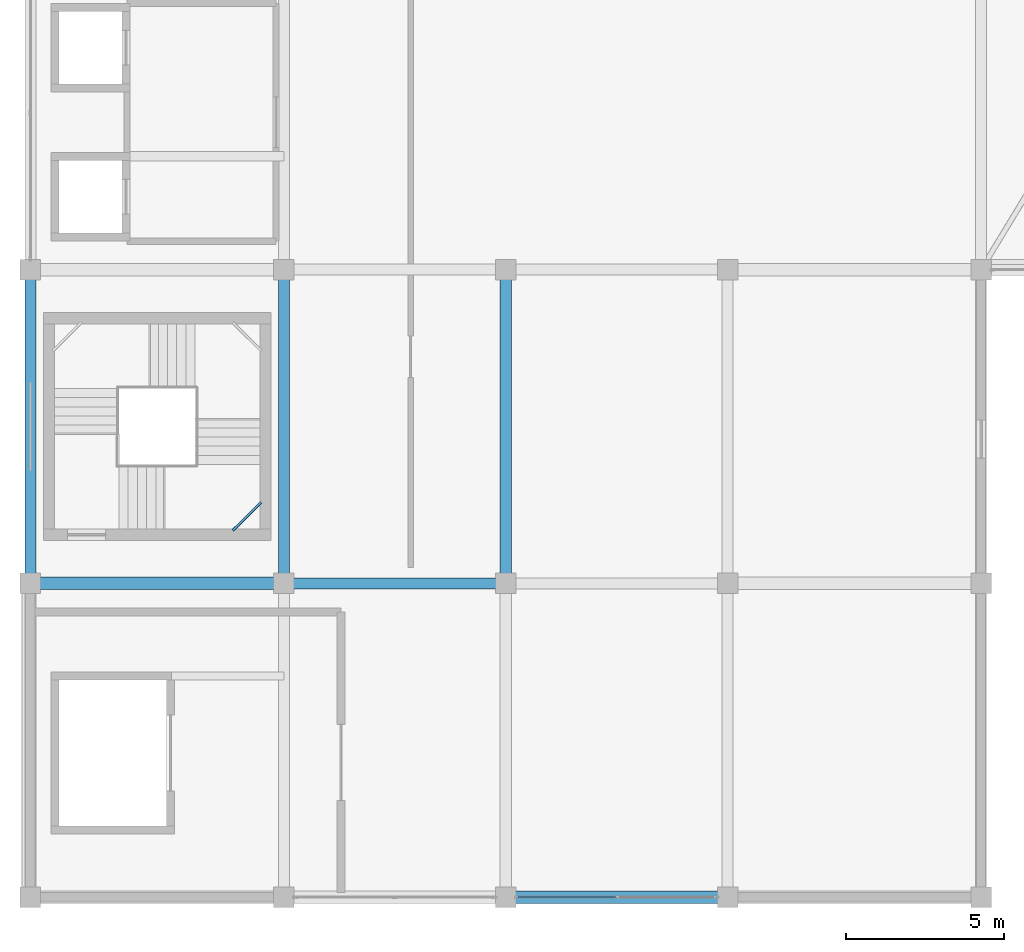
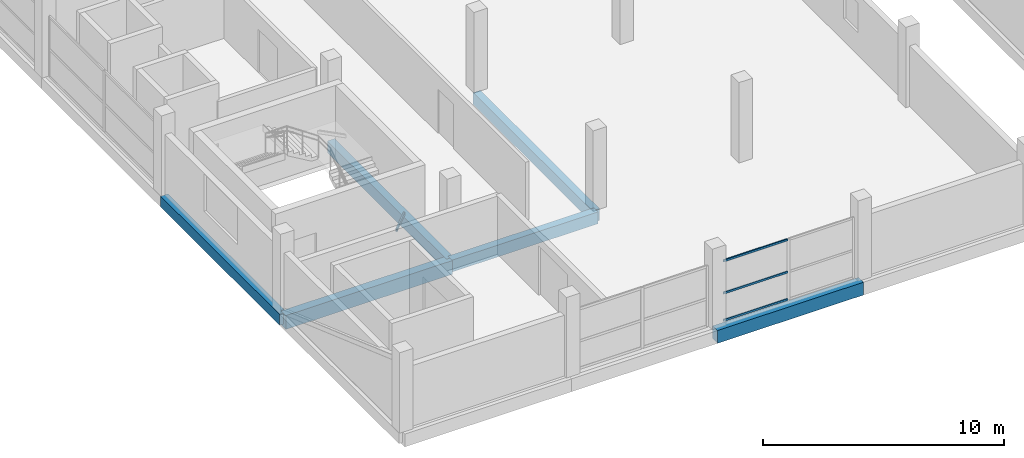
# One storey, part 3 of 70: 7 beams, 3 members, 1 element without a shape of its own.
"""IFC4 building model written with IfcOpenShell, lengths in metres."""

from ifc_helpers import new_model, si_unit, direction, frame, origin, origin_2d, place, context, subcontext, project, spatial, rectangle, hollow_rectangle, extrude, material, layer, layer_set, material_profile, profile_set, type_object, element, aggregate, save


model = new_model("IFC4")

# Units and contexts
model_context = context("Model", 3, precision=1e-05, world=origin(), true_north=direction((0.0, 1.0)))
body_context = subcontext(model_context, "Body", "Model", "MODEL_VIEW")
ifc_project = project(units=[si_unit("LENGTHUNIT", "METRE"), si_unit("AREAUNIT", "SQUARE_METRE"), si_unit("VOLUMEUNIT", "CUBIC_METRE"), si_unit("PLANEANGLEUNIT", "RADIAN"), si_unit("MASSUNIT", "GRAM", prefix="KILO")], contexts=[model_context])

# Site, building, storey
site_placement = place(None, origin())
site = spatial("IfcSite", under=ifc_project, at=site_placement, CompositionType="ELEMENT")
building_placement = place(site_placement, origin())
building = spatial("IfcBuilding", under=site, at=building_placement, Name="Sillaruma Civic Art Gallery", CompositionType="ELEMENT")
storey_placement = place(building_placement, frame((0.0, 0.0, 66.300048828125)))
storey = spatial("IfcBuildingStorey", under=building, at=storey_placement, Name="L13", CompositionType="ELEMENT", Elevation=66.300048828125)

# Beams
ifc_material_1 = material(Name="Concrete H35 (35 MPa)", Category="concrete")
ifc_material_profile_1 = material_profile(ifc_material_1, rectangle(XDim=0.35009765625, YDim=0.60009765625, at=origin_2d()), Name="RCB350x600")
ifc_profile_set_1 = profile_set([ifc_material_profile_1], Name="Concrete H35 (35 MPa)")
beam_type_1 = type_object("IfcBeamType", Name="BM-BEAM-RCB350x600", PredefinedType="BEAM", material=ifc_profile_set_1)
beam_1_placement = place(storey_placement, frame((70.0, 29.699951171875, -0.530029296875), z_axis=(1.0, 0.0, 0.0), x_axis=(0.0, 1.0, 0.0)))
element("IfcBeam", 1, at=beam_1_placement, inside=storey, type_object=beam_type_1, Name="Beam BM-06 (L12:4:G-H)", PredefinedType="BEAM", context=body_context, shape_type="SweptSolid", body=[
    extrude(rectangle(XDim=0.35009765625, YDim=0.60009765625, at=origin_2d()), origin(), (0.0, 0.0, 1.0), 7.0),
])
for number, where, z_axis, x_axis, name in (
    (2, (70.0, 29.699951171875, -0.530029296875), (0.0, 1.0, 0.0), (-1.0, 0.0, 0.0), "Beam BM-06 (L12:G:4-5)"),
    (3, (77.0, 29.699951171875, -0.530029296875), (0.0, 1.0, 0.0), (-1.0, 0.0, 0.0), "Beam BM-06 (L12:H:4-5)"),
):
    element("IfcBeam", number, at=place(storey_placement, frame(where, z_axis=z_axis, x_axis=x_axis)), inside=storey, type_object=beam_type_1, Name=name, PredefinedType="BEAM", context=body_context, shape_type="SweptSolid", body=[
        extrude(rectangle(XDim=0.35009765625, YDim=0.60009765625, at=origin_2d()), origin(), (0.0, 0.0, 1.0), 9.900146484375),
    ])
ifc_material_profile_2 = material_profile(ifc_material_1, rectangle(XDim=0.39990234375, YDim=0.699951171875, at=origin_2d()), Name="RCB400x700")
ifc_profile_set_2 = profile_set([ifc_material_profile_2], Name="Concrete H35 (35 MPa)")
beam_type_2 = type_object("IfcBeamType", Name="BM-BEAM-RCB400x700", PredefinedType="BEAM", material=ifc_profile_set_2)
beam_2_placement = place(storey_placement, frame((62.0, 29.699951171875, -0.580078125), z_axis=(1.0, 0.0, 0.0), x_axis=(0.0, 1.0, 0.0)))
element("IfcBeam", 4, at=beam_2_placement, inside=storey, type_object=beam_type_2, Name="Beam BM-04 (L12:4:F-G)", PredefinedType="BEAM", context=body_context, shape_type="SweptSolid", body=[
    extrude(rectangle(XDim=0.39990234375, YDim=0.699951171875, at=origin_2d()), origin(), (0.0, 0.0, 1.0), 8.0),
])
ifc_material_2 = material(Name="Structural Steel ASTM A500 Gr.C", Category="steel")
ifc_material_profile_3 = material_profile(ifc_material_2, hollow_rectangle(XDim=0.080078125, YDim=0.159912109375, WallThickness=0.008056640625, InnerFilletRadius=0.008056640625, OuterFilletRadius=0.01611328125, at=origin_2d()), Name="HSS160x80x8")
ifc_profile_set_3 = profile_set([ifc_material_profile_3], Name="Structural Steel ASTM A500 Gr.C")
beam_type_3 = type_object("IfcBeamType", Name="BM-LND-HSS160", PredefinedType="BEAM", material=ifc_profile_set_3)
beam_3_placement = place(storey_placement, frame((68.389892578125, 31.3701171875, 0.739990234375), z_axis=(0.707203758046, 0.707009791025, 0.0), x_axis=(-0.707009791025, 0.707203758046, 0.0)))
element("IfcBeam", 5, at=beam_3_placement, inside=storey, type_object=beam_type_3, Name="Stair Corner Landing Trimmer Beam (ST-03-L13-1)", PredefinedType="BEAM", context=body_context, shape_type="SweptSolid", body=[
    extrude(hollow_rectangle(XDim=0.080078125, YDim=0.159912109375, WallThickness=0.008056640625, InnerFilletRadius=0.008056640625, OuterFilletRadius=0.01611328125, at=origin_2d()), origin(), (0.0, 0.0, 1.0), 1.2587890625),
])
ifc_material_profile_4 = material_profile(ifc_material_1, rectangle(XDim=0.35009765625, YDim=0.550048828125, at=origin_2d()), Name="RCB350x550")
ifc_profile_set_4 = profile_set([ifc_material_profile_4], Name="Concrete H35 (35 MPa)")
beam_type_4 = type_object("IfcBeamType", Name="BM-SPANDREL-RCB350x550", PredefinedType="SPANDREL", material=ifc_profile_set_4)
beam_4_placement = place(storey_placement, frame((62.0, 29.699951171875, -0.505126953125), z_axis=(0.0, 1.0, 0.0), x_axis=(-1.0, 0.0, 0.0)))
element("IfcBeam", 6, at=beam_4_placement, inside=storey, type_object=beam_type_4, Name="Beam BS-04 (L12:F:4-5)", PredefinedType="SPANDREL", context=body_context, shape_type="SweptSolid", body=[
    extrude(rectangle(XDim=0.35009765625, YDim=0.550048828125, at=origin_2d()), origin(), (0.0, 0.0, 1.0), 9.900146484375),
])
ifc_material_profile_5 = material_profile(ifc_material_1, rectangle(XDim=0.39990234375, YDim=0.64990234375, at=origin_2d()), Name="RCB400x650")
ifc_profile_set_5 = profile_set([ifc_material_profile_5], Name="Concrete H35 (35 MPa)")
beam_type_5 = type_object("IfcBeamType", Name="BM-SPANDREL-RCB400x650", PredefinedType="SPANDREL", material=ifc_profile_set_5)
beam_5_placement = place(storey_placement, frame((77.0, 19.800048828125, -0.554931640625), z_axis=(1.0, 0.0, 0.0), x_axis=(0.0, 1.0, 0.0)))
element("IfcBeam", 7, at=beam_5_placement, inside=storey, type_object=beam_type_5, Name="Beam BS-02 (L12:3:H-J)", PredefinedType="SPANDREL", context=body_context, shape_type="SweptSolid", body=[
    extrude(rectangle(XDim=0.39990234375, YDim=0.64990234375, at=origin_2d()), origin(), (0.0, 0.0, 1.0), 7.0),
])

# Curtain wall, members
ifc_material_3 = material(Name="Thermally Broken Extruded Aluminium 6063-T6", Category="aluminium")
ifc_layer = layer(ifc_material_3, 0.139892578125, Name="Thermally Broken Extruded Aluminium 6063-T6")
ifc_layer_set = layer_set([ifc_layer], Name="Thermally Broken Extruded Aluminium 6063-T6")
curtain_wall_type = type_object("IfcCurtainWallType", Name="CW-UNI-106", PredefinedType="NOTDEFINED", material=ifc_layer_set)
curtain_wall_placement = place(storey_placement, origin())
curtain_wall = element("IfcCurtainWall", 8, at=curtain_wall_placement, inside=storey, type_object=curtain_wall_type, Name="Unitised Curtain Wall CW-106 (CW-L13-WBS-3)", PredefinedType="NOTDEFINED")
ifc_material_profile_6 = material_profile(ifc_material_3, hollow_rectangle(XDim=0.06005859375, YDim=0.10009765625, WallThickness=0.003173828125, at=origin_2d()), Name="CWT60x100")
ifc_profile_set_6 = profile_set([ifc_material_profile_6], Name="Thermally Broken Extruded Aluminium 6063-T6")
member_type = type_object("IfcMemberType", Name="MEM-TRN-CWT60x100", PredefinedType="USERDEFINED", material=ifc_profile_set_6)
member_1_placement = place(storey_placement, frame((77.385009765625, 19.800048828125, 0.030029296875), z_axis=(1.0, 0.0, 0.0), x_axis=(0.0, 1.0, 0.0)))
member_1 = element("IfcMember", 9, at=member_1_placement, type_object=member_type, Name="CW-106 transom 1.1", ObjectType="TRANSOM", PredefinedType="USERDEFINED", context=body_context, shape_type="SweptSolid", body=[
    extrude(hollow_rectangle(XDim=0.06005859375, YDim=0.10009765625, WallThickness=0.003173828125, at=origin_2d()), origin(), (0.0, 0.0, 1.0), 3.0849609375),
])
member_2_placement = place(storey_placement, frame((77.385009765625, 19.800048828125, 1.416748046875), z_axis=(1.0, 0.0, 0.0), x_axis=(0.0, 1.0, 0.0)))
member_2 = element("IfcMember", 10, at=member_2_placement, type_object=member_type, Name="CW-106 transom 1.2", ObjectType="TRANSOM", PredefinedType="USERDEFINED", context=body_context, shape_type="SweptSolid", body=[
    extrude(hollow_rectangle(XDim=0.06005859375, YDim=0.10009765625, WallThickness=0.003173828125, at=origin_2d()), origin(), (0.0, 0.0, 1.0), 3.0849609375),
])
member_3_placement = place(storey_placement, frame((77.385009765625, 19.800048828125, 3.050048828125), z_axis=(1.0, 0.0, 0.0), x_axis=(0.0, 1.0, 0.0)))
member_3 = element("IfcMember", 11, at=member_3_placement, type_object=member_type, Name="CW-106 transom 1.3", ObjectType="TRANSOM", PredefinedType="USERDEFINED", context=body_context, shape_type="SweptSolid", body=[
    extrude(hollow_rectangle(XDim=0.06005859375, YDim=0.10009765625, WallThickness=0.003173828125, at=origin_2d()), origin(), (0.0, 0.0, 1.0), 3.0849609375),
])
aggregate(curtain_wall, [member_1, member_2, member_3])

save(model, "model.ifc")
